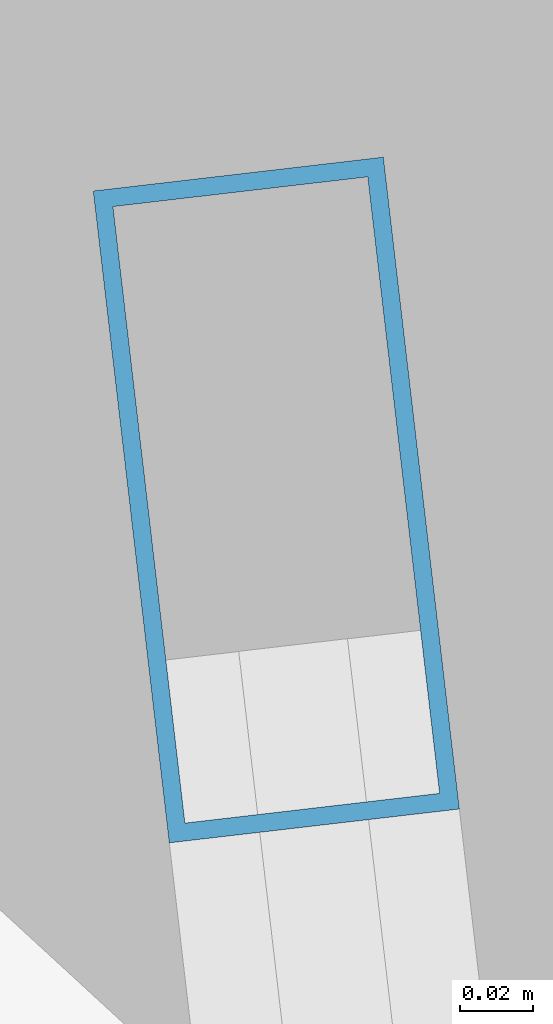
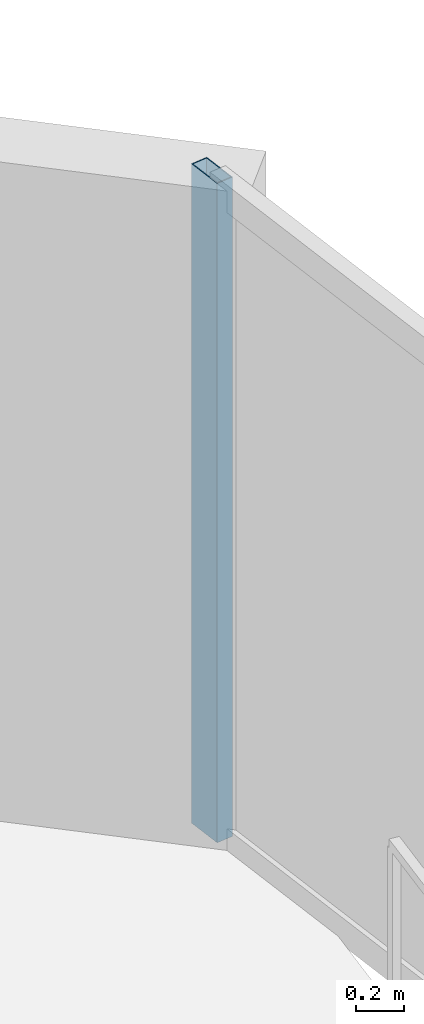
# One storey, part 22 of 31: 1 member, 1 element without a shape of its own.
"""IFC4 building model written with IfcOpenShell, lengths in metres."""

from ifc_helpers import new_model, si_unit, direction, frame, origin, origin_2d, place, context, subcontext, project, spatial, hollow_rectangle, extrude, material, layer, layer_set, material_profile, profile_set, type_object, element, aggregate, save


model = new_model("IFC4")

# Units and contexts
model_context = context("Model", 3, precision=1e-05, world=origin(), true_north=direction((0.0, 1.0)))
body_context = subcontext(model_context, "Body", "Model", "MODEL_VIEW")
ifc_project = project(units=[si_unit("LENGTHUNIT", "METRE"), si_unit("AREAUNIT", "SQUARE_METRE"), si_unit("VOLUMEUNIT", "CUBIC_METRE"), si_unit("PLANEANGLEUNIT", "RADIAN"), si_unit("MASSUNIT", "GRAM", prefix="KILO")], contexts=[model_context])

# Site, building, storey
site_placement = place(None, origin())
site = spatial("IfcSite", under=ifc_project, at=site_placement, CompositionType="ELEMENT")
building_placement = place(site_placement, origin())
building = spatial("IfcBuilding", under=site, at=building_placement, Name="Kazevale Care Tower and Concert Hall", CompositionType="ELEMENT")
storey_placement = place(building_placement, frame((0.0, 0.0, 217.199951171875)))
storey = spatial("IfcBuildingStorey", under=building, at=storey_placement, Name="L57", CompositionType="ELEMENT", Elevation=217.199951171875)

# Curtain wall, member
ifc_material_1 = material(Name="Aluminium 6063-T6 and Low-E Glass", Category="aluminium")
ifc_layer = layer(ifc_material_1, 0.179931640625)
ifc_layer_set = layer_set([ifc_layer], Name="Aluminium 6063-T6 and Low-E Glass")
curtain_wall_type = type_object("IfcCurtainWallType", Name="Waist & Upper Residential Curtain Wall CW-4", PredefinedType="NOTDEFINED", material=ifc_layer_set)
curtain_wall_placement = place(storey_placement, origin())
curtain_wall = element("IfcCurtainWall", 1, at=curtain_wall_placement, inside=storey, type_object=curtain_wall_type, Name="cw:L57:f18", PredefinedType="NOTDEFINED")
ifc_material_2 = material(Name="Aluminium 6063-T6", Category="aluminium")
ifc_material_profile = material_profile(ifc_material_2, hollow_rectangle(XDim=0.080078125, YDim=0.179931640625, WallThickness=0.0048828125, at=origin_2d()), Name="ALU80x180x5")
ifc_profile_set = profile_set([ifc_material_profile], Name="Aluminium 6063-T6")
member_type = type_object("IfcMemberType", Name="CW-4 Mullion ALU80x180x5", PredefinedType="MULLION", material=ifc_profile_set)
member_placement = place(storey_placement, frame((75.2255859375, 49.955322265625, 0.0), z_axis=(0.0, 0.0, 1.0), x_axis=(0.993267109779, 0.115846659989, 0.0)))
member = element("IfcMember", 2, at=member_placement, type_object=member_type, Name="CW-4 mullion 1", PredefinedType="MULLION", context=body_context, shape_type="SweptSolid", body=[
    extrude(hollow_rectangle(XDim=0.080078125, YDim=0.179931640625, WallThickness=0.0048828125, at=origin_2d()), origin(), (0.0, 0.0, 1.0), 3.360107421875),
])
aggregate(curtain_wall, [member])

save(model, "model.ifc")
